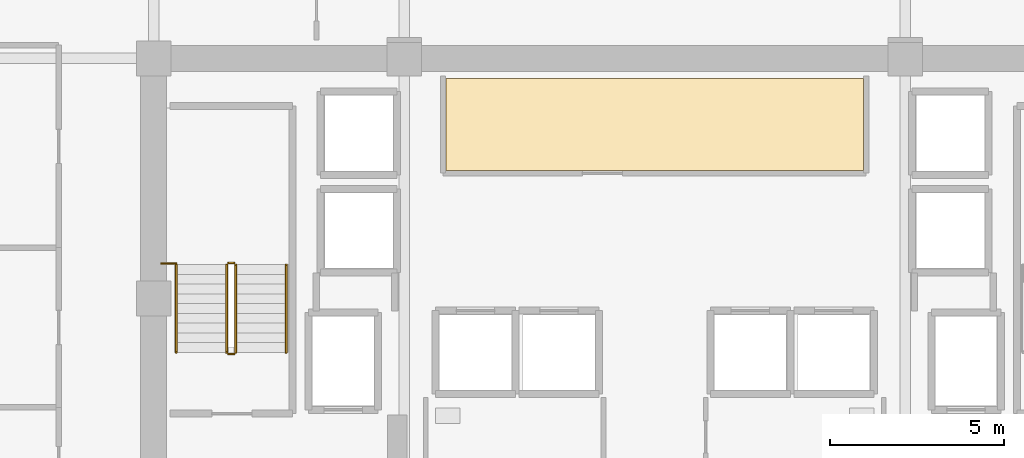
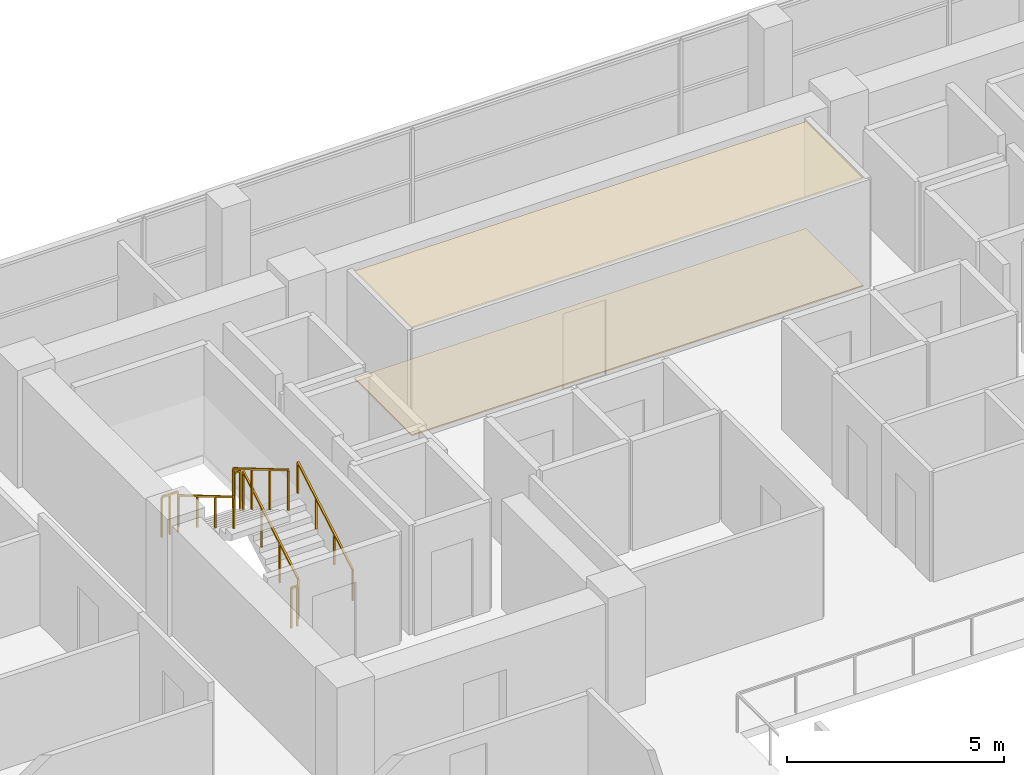
# One storey, part 19 of 21: 7 railings, 2 coverings.
"""IFC4 building model written with IfcOpenShell, lengths in metres."""

from ifc_helpers import new_model, si_unit, direction, frame, origin, origin_2d, place, context, subcontext, project, spatial, polyline, rectangle, outline, extrude, material, layer, layer_set, type_object, element, save


model = new_model("IFC4")

# Units and contexts
model_context = context("Model", 3, precision=1e-05, world=origin(), true_north=direction((0.0, 1.0)))
body_context = subcontext(model_context, "Body", "Model", "MODEL_VIEW")
ifc_project = project(units=[si_unit("LENGTHUNIT", "METRE"), si_unit("AREAUNIT", "SQUARE_METRE"), si_unit("VOLUMEUNIT", "CUBIC_METRE"), si_unit("PLANEANGLEUNIT", "RADIAN"), si_unit("MASSUNIT", "GRAM", prefix="KILO")], contexts=[model_context])

# Site, building, storey
site_placement = place(None, origin())
site = spatial("IfcSite", under=ifc_project, at=site_placement, CompositionType="ELEMENT")
building_placement = place(site_placement, origin())
building = spatial("IfcBuilding", under=site, at=building_placement, Name="Zarnakvel Exchange Tower", CompositionType="ELEMENT")
storey_placement = place(building_placement, frame((0.0, 0.0, 166.0)))
storey = spatial("IfcBuildingStorey", under=building, at=storey_placement, Name="L46", CompositionType="ELEMENT", Elevation=166.0)

# Coverings
ifc_material_1 = material(Name="Perforated Bronze Acoustic Metal Ceiling", Category="aluminium")
ifc_layer_1 = layer(ifc_material_1, 0.02001953125)
ifc_layer_set_1 = layer_set([ifc_layer_1], Name="Perforated Bronze Acoustic Metal Ceiling")
covering_type_1 = type_object("IfcCoveringType", Name="CLG-01", PredefinedType="CEILING", material=ifc_layer_set_1)
covering_1_placement = place(storey_placement, frame((0.0, 0.0, 3.014892578125)))
element("IfcCovering", 1, at=covering_1_placement, inside=storey, type_object=covering_type_1, Name="L46 Suspended Acoustic Ceiling (Market Data Archive Suite)", PredefinedType="CEILING", context=body_context, shape_type="SweptSolid", body=[
    extrude(outline(polyline([(-6.0, 12.919921875), (6.0, 12.919921875), (6.0, 10.280029296875), (-6.0, 10.280029296875), (-6.0, 12.919921875)])), origin(), (0.0, 0.0, 1.0), 0.02001953125),
])
ifc_material_2 = material(Name="Heavy-Duty Raised Access Floor Panel", Category="steel")
ifc_layer_2 = layer(ifc_material_2, 0.034912109375)
ifc_layer_set_2 = layer_set([ifc_layer_2], Name="Heavy-Duty Raised Access Floor Panel")
covering_type_2 = type_object("IfcCoveringType", Name="FLR-02", PredefinedType="FLOORING", material=ifc_layer_set_2)
covering_2_placement = place(storey_placement, origin())
element("IfcCovering", 2, at=covering_2_placement, inside=storey, type_object=covering_type_2, Name="L46 Floor Finish (Market Data Archive Suite)", PredefinedType="FLOORING", context=body_context, shape_type="SweptSolid", body=[
    extrude(outline(polyline([(-6.0, 12.919921875), (6.0, 12.919921875), (6.0, 10.280029296875), (-6.0, 10.280029296875), (-6.0, 12.919921875)])), origin(), (0.0, 0.0, 1.0), 0.034912109375),
])

# Railings
ifc_material_3 = material(Name="Brushed Stainless Steel", Category="steel")
railing_type_1 = type_object("IfcRailingType", Name="HR-01", PredefinedType="HANDRAIL", material=ifc_material_3)
railing_1_placement = place(storey_placement, frame((-10.590087890625, 5.050048828125, 0.1650390625)))
element("IfcRailing", 3, at=railing_1_placement, inside=storey, type_object=railing_type_1, Name="L46 ST-01 stair handrail 1", PredefinedType="HANDRAIL", context=body_context, shape_type="SweptSolid", body=[
    extrude(rectangle(XDim=0.048095703125, YDim=0.048095703125, at=origin_2d()), frame((0.0, 0.0, 0.8759765625), z_axis=(0.0, 0.861560626758, 0.507654692109), x_axis=(-1.0, 0.0, 0.0)), (0.0, 0.0, 1.0), 2.925048828125),
    extrude(rectangle(XDim=0.0419921875, YDim=0.0419921875, at=origin_2d()), origin(), (0.0, 0.0, 1.0), 0.851806640625),
    extrude(rectangle(XDim=0.0419921875, YDim=0.0419921875, at=origin_2d()), frame((0.0, 0.840087890625, 0.494873046875)), (0.0, 0.0, 1.0), 0.851806640625),
    extrude(rectangle(XDim=0.0419921875, YDim=0.0419921875, at=origin_2d()), frame((0.0, 1.679931640625, 0.989990234375)), (0.0, 0.0, 1.0), 0.851806640625),
    extrude(rectangle(XDim=0.0419921875, YDim=0.0419921875, at=origin_2d()), frame((0.0, 2.52001953125, 1.48486328125)), (0.0, 0.0, 1.0), 0.851806640625),
])
railing_2_placement = place(storey_placement, frame((-13.75, 7.570068359375, 1.81494140625)))
element("IfcRailing", 4, at=railing_2_placement, inside=storey, type_object=railing_type_1, Name="L46 ST-01 stair handrail 2", PredefinedType="HANDRAIL", context=body_context, shape_type="SweptSolid", body=[
    extrude(rectangle(XDim=0.048095703125, YDim=0.048095703125, at=origin_2d()), frame((0.0, 0.0, 0.8759765625), z_axis=(0.0, -0.86152411907, 0.507716645641), x_axis=(1.0, 0.0, 0.0)), (0.0, 0.0, 1.0), 2.925048828125),
    extrude(rectangle(XDim=0.0419921875, YDim=0.0419921875, at=origin_2d()), origin(), (0.0, 0.0, 1.0), 0.851806640625),
    extrude(rectangle(XDim=0.0419921875, YDim=0.0419921875, at=origin_2d()), frame((0.0, -0.840087890625, 0.4951171875)), (0.0, 0.0, 1.0), 0.851806640625),
    extrude(rectangle(XDim=0.0419921875, YDim=0.0419921875, at=origin_2d()), frame((0.0, -1.679931640625, 0.989990234375)), (0.0, 0.0, 1.0), 0.851806640625),
    extrude(rectangle(XDim=0.0419921875, YDim=0.0419921875, at=origin_2d()), frame((0.0, -2.52001953125, 1.485107421875)), (0.0, 0.0, 1.0), 0.851806640625),
])
ifc_material_4 = material(Name="Architectural Bronze Anodised Aluminium", Category="aluminium")
railing_type_2 = type_object("IfcRailingType", Name="SG-01", PredefinedType="GUARDRAIL", material=ifc_material_4)
railing_3_placement = place(storey_placement, frame((-12.0400390625, 5.050048828125, 0.1650390625)))
element("IfcRailing", 5, at=railing_3_placement, inside=storey, type_object=railing_type_2, Name="L46 ST-01 stair guard 1", PredefinedType="GUARDRAIL", context=body_context, shape_type="SweptSolid", body=[
    extrude(rectangle(XDim=0.048095703125, YDim=0.048095703125, at=origin_2d()), frame((0.0, 0.0, 1.1259765625), z_axis=(0.0, 0.861560626758, 0.507654692109), x_axis=(-1.0, 0.0, 0.0)), (0.0, 0.0, 1.0), 2.925048828125),
    extrude(rectangle(XDim=0.0419921875, YDim=0.0419921875, at=origin_2d()), origin(), (0.0, 0.0, 1.0), 1.101806640625),
    extrude(rectangle(XDim=0.0419921875, YDim=0.0419921875, at=origin_2d()), frame((0.0, 0.840087890625, 0.494873046875)), (0.0, 0.0, 1.0), 1.101806640625),
    extrude(rectangle(XDim=0.0419921875, YDim=0.0419921875, at=origin_2d()), frame((0.0, 1.679931640625, 0.989990234375)), (0.0, 0.0, 1.0), 1.101806640625),
    extrude(rectangle(XDim=0.0419921875, YDim=0.0419921875, at=origin_2d()), frame((0.0, 2.52001953125, 1.48486328125)), (0.0, 0.0, 1.0), 1.101806640625),
])
railing_4_placement = place(storey_placement, frame((-12.090087890625, 7.6201171875, 1.64990234375)))
element("IfcRailing", 6, at=railing_4_placement, inside=storey, type_object=railing_type_2, Name="L46 ST-01 stair guard 2", PredefinedType="GUARDRAIL", context=body_context, shape_type="SweptSolid", body=[
    extrude(rectangle(XDim=0.048095703125, YDim=0.048095703125, at=origin_2d()), frame((0.0, 0.0, 1.1259765625), z_axis=(-1.0, 0.0, 0.0), x_axis=(0.0, -1.0, 0.0)), (0.0, 0.0, 1.0), 0.159912109375),
    extrude(rectangle(XDim=0.0419921875, YDim=0.0419921875, at=origin_2d()), origin(), (0.0, 0.0, 1.0), 1.101806640625),
    extrude(rectangle(XDim=0.0419921875, YDim=0.0419921875, at=origin_2d()), frame((-0.159912109375, 0.0, 0.0)), (0.0, 0.0, 1.0), 1.101806640625),
])
railing_5_placement = place(storey_placement, frame((-12.300048828125, 7.570068359375, 1.81494140625)))
element("IfcRailing", 7, at=railing_5_placement, inside=storey, type_object=railing_type_2, Name="L46 ST-01 stair guard 3", PredefinedType="GUARDRAIL", context=body_context, shape_type="SweptSolid", body=[
    extrude(rectangle(XDim=0.048095703125, YDim=0.048095703125, at=origin_2d()), frame((0.0, 0.0, 1.1259765625), z_axis=(0.0, -0.86152411907, 0.507716645641), x_axis=(1.0, 0.0, 0.0)), (0.0, 0.0, 1.0), 2.925048828125),
    extrude(rectangle(XDim=0.0419921875, YDim=0.0419921875, at=origin_2d()), origin(), (0.0, 0.0, 1.0), 1.101806640625),
    extrude(rectangle(XDim=0.0419921875, YDim=0.0419921875, at=origin_2d()), frame((0.0, -0.840087890625, 0.4951171875)), (0.0, 0.0, 1.0), 1.101806640625),
    extrude(rectangle(XDim=0.0419921875, YDim=0.0419921875, at=origin_2d()), frame((0.0, -1.679931640625, 0.989990234375)), (0.0, 0.0, 1.0), 1.101806640625),
    extrude(rectangle(XDim=0.0419921875, YDim=0.0419921875, at=origin_2d()), frame((0.0, -2.52001953125, 1.485107421875)), (0.0, 0.0, 1.0), 1.101806640625),
])
railing_6_placement = place(storey_placement, frame((-12.090087890625, 5.0, 0.0)))
element("IfcRailing", 8, at=railing_6_placement, inside=storey, type_object=railing_type_2, Name="L46 ST-01 stair guard 4", PredefinedType="GUARDRAIL", context=body_context, shape_type="SweptSolid", body=[
    extrude(rectangle(XDim=0.048095703125, YDim=0.048095703125, at=origin_2d()), frame((0.0, 0.0, 1.1259765625), z_axis=(-1.0, 0.0, 0.0), x_axis=(0.0, -1.0, 0.0)), (0.0, 0.0, 1.0), 0.159912109375),
    extrude(rectangle(XDim=0.0419921875, YDim=0.0419921875, at=origin_2d()), origin(), (0.0, 0.0, 1.0), 1.101806640625),
    extrude(rectangle(XDim=0.0419921875, YDim=0.0419921875, at=origin_2d()), frame((-0.159912109375, 0.0, 0.0)), (0.0, 0.0, 1.0), 1.101806640625),
])
railing_7_placement = place(storey_placement, frame((-14.179931640625, 7.610107421875, 1.64990234375)))
element("IfcRailing", 9, at=railing_7_placement, inside=storey, type_object=railing_type_2, Name="L46 ST-01 Landing Slot Guardrail", PredefinedType="GUARDRAIL", context=body_context, shape_type="SweptSolid", body=[
    extrude(rectangle(XDim=0.048095703125, YDim=0.048095703125, at=origin_2d()), frame((0.0, 0.0, 1.1259765625), z_axis=(1.0, 0.0, 0.0), x_axis=(0.0, 1.0, 0.0)), (0.0, 0.0, 1.0), 0.429931640625),
    extrude(rectangle(XDim=0.0419921875, YDim=0.0419921875, at=origin_2d()), origin(), (0.0, 0.0, 1.0), 1.101806640625),
    extrude(rectangle(XDim=0.0419921875, YDim=0.0419921875, at=origin_2d()), frame((0.21484375, 0.0, 0.0)), (0.0, 0.0, 1.0), 1.101806640625),
    extrude(rectangle(XDim=0.0419921875, YDim=0.0419921875, at=origin_2d()), frame((0.429931640625, 0.0, 0.0)), (0.0, 0.0, 1.0), 1.101806640625),
])

save(model, "model.ifc")
